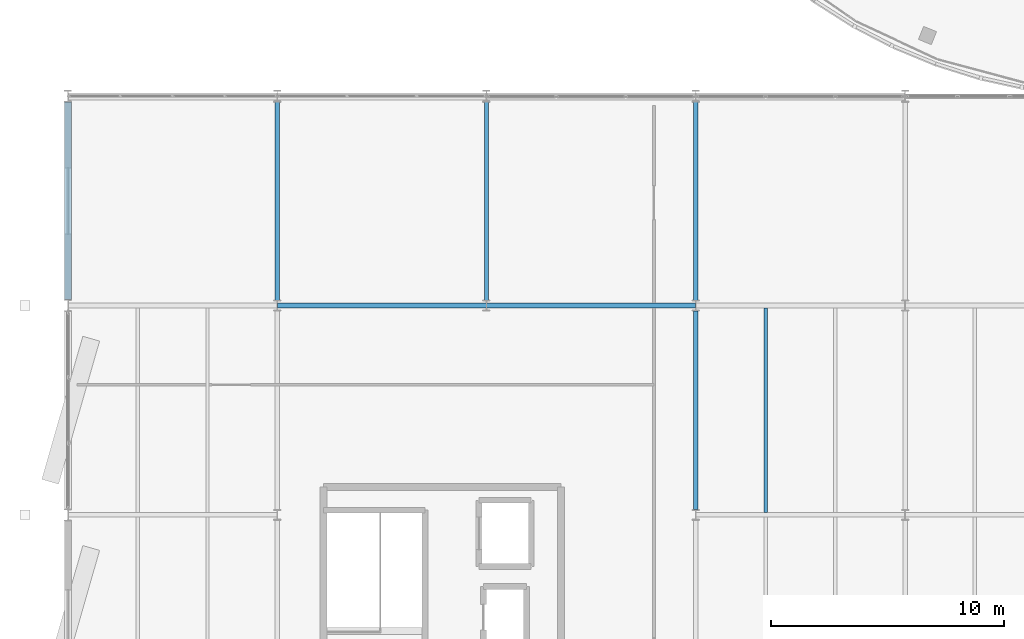
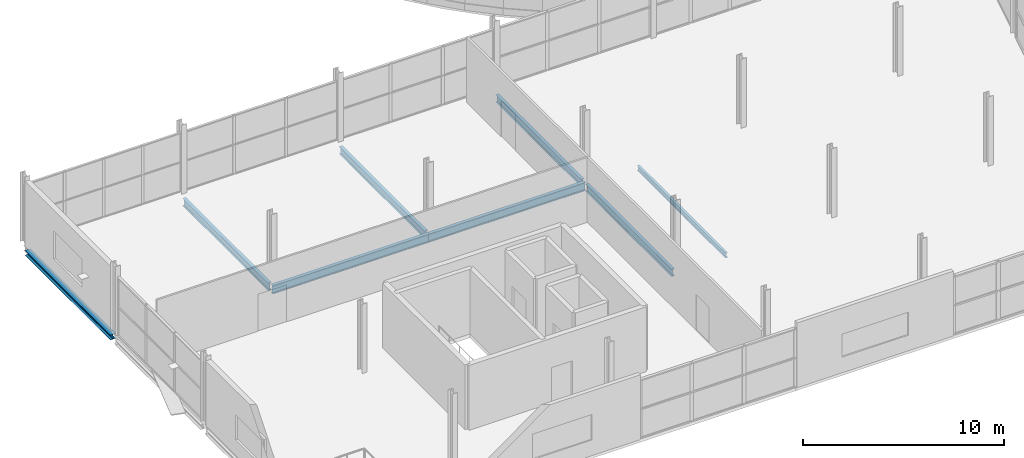
# One storey, part 64 of 132: 8 beams.
"""IFC4 building model written with IfcOpenShell, lengths in metres."""

import ifcopenshell
import ifcopenshell.guid

model = None  # the IFC model being written
_history = None  # IfcOwnerHistory: only IFC2X3 demands one
_inside = {}  # id of a spatial element -> (the spatial element, [elements in it])
_under = {}  # id of a project, library or spatial element -> (it, [spatial elements below it])
_declared = {}  # id of a project -> (the project, [libraries it declares])
_typed = {}  # id of a type object -> (the type object, [elements of that type])
_made_of = {}  # id of a material, layer set ... -> (it, [elements and type objects made of it])


def new_model(schema):
    """Start an empty IFC model of exactly this schema.

    Asked for "IFC4X3", IfcOpenShell would pick the latest addendum, in which some entities
    have other attributes; the version numbers below select the first issue.
    IFC2X3 requires an IfcOwnerHistory on every rooted entity: one is made here for all.
    """
    global model, _history
    if schema == "IFC4X3":
        model = ifcopenshell.file(schema_version=(4, 3, 0, 0))
    else:
        model = ifcopenshell.file(schema=schema)
    _inside.clear()
    _under.clear()
    _declared.clear()
    _typed.clear()
    _made_of.clear()
    _history = None
    if model.schema == "IFC2X3":
        org = make("IfcOrganization", Name="unknown")
        user = make(
            "IfcPersonAndOrganization",
            ThePerson=make("IfcPerson", FamilyName="unknown"),
            TheOrganization=org,
        )
        app = make(
            "IfcApplication",
            ApplicationDeveloper=org,
            Version="unknown",
            ApplicationFullName="unknown",
            ApplicationIdentifier="unknown",
        )
        _history = make(
            "IfcOwnerHistory",
            OwningUser=user,
            OwningApplication=app,
            ChangeAction="ADDED",
            CreationDate=0,
        )
    return model


def make(cls, **values):
    """One entity of the class cls with the attributes given. An attribute that is None is left unset."""
    return model.create_entity(
        cls, **{name: value for name, value in values.items() if value is not None}
    )


def rooted(cls, **values):
    """An entity with a GlobalId (a new one), such as an element, a storey or a relation."""
    return make(cls, GlobalId=ifcopenshell.guid.new(), OwnerHistory=_history, **values)


def si_unit(unit_type, name, prefix=None):
    """IfcSIUnit, for example si_unit("LENGTHUNIT", "METRE", prefix="MILLI")."""
    return make("IfcSIUnit", UnitType=unit_type, Prefix=prefix, Name=name)


def assignment(units):
    """IfcUnitAssignment: the units of a project."""
    return None if units is None else make("IfcUnitAssignment", Units=units)


def point(xyz):
    """IfcCartesianPoint."""
    return None if xyz is None else make("IfcCartesianPoint", Coordinates=xyz)


def direction(xyz):
    """IfcDirection."""
    return None if xyz is None else make("IfcDirection", DirectionRatios=xyz)


def frame(location, z_axis=None, x_axis=None):
    """IfcAxis2Placement3D, a coordinate frame: its origin and axes. An axis left out is left unset."""
    return make(
        "IfcAxis2Placement3D",
        Location=point(location),
        Axis=direction(z_axis),
        RefDirection=direction(x_axis),
    )


def frame_2d(location, x_axis=None):
    """IfcAxis2Placement2D, a coordinate frame in the plane: its origin and x axis."""
    return make(
        "IfcAxis2Placement2D", Location=point(location), RefDirection=direction(x_axis)
    )


def origin():
    """The frame at (0, 0, 0) with its axes left unset."""
    return frame((0.0, 0.0, 0.0))


def origin_2d():
    """The frame at (0, 0) in the plane with its x axis left unset."""
    return frame_2d((0.0, 0.0))


def place(relative_to, where):
    """IfcLocalPlacement: puts the frame where relative to a parent placement (None: the world)."""
    return make(
        "IfcLocalPlacement", PlacementRelTo=relative_to, RelativePlacement=where
    )


def context(
    kind, dimensions, precision=None, world=None, true_north=None, identifier=None
):
    """IfcGeometricRepresentationContext, for example the 3D "Model" context."""
    return make(
        "IfcGeometricRepresentationContext",
        ContextIdentifier=identifier,
        ContextType=kind,
        CoordinateSpaceDimension=dimensions,
        Precision=precision,
        WorldCoordinateSystem=world,
        TrueNorth=true_north,
    )


def subcontext(parent, identifier, kind, view, scale=None):
    """IfcGeometricRepresentationSubContext, for example "Body" below "Model"."""
    return make(
        "IfcGeometricRepresentationSubContext",
        ContextIdentifier=identifier,
        ContextType=kind,
        ParentContext=parent,
        TargetScale=scale,
        TargetView=view,
    )


def project(units=None, contexts=None):
    """IfcProject with its units and contexts."""
    return rooted(
        "IfcProject",
        Name="project",
        RepresentationContexts=contexts,
        UnitsInContext=assignment(units),
    )


def spatial(cls, under=None, at=None, **own):
    """A site, building, storey or space (cls), placed at a placement, below another one or the project."""
    s = rooted(cls, ObjectPlacement=at, **own)
    if under is not None:
        _under.setdefault(under.id(), (under, []))[1].append(s)
    return s


def profile(cls, at=None, kind="AREA", **sizes):
    """A parametric profile (cls). Its sizes go by their IFC names, for example OverallWidth=200.0."""
    return make(cls, ProfileType=kind, Position=at, **sizes)


def i_section(**sizes):
    """IfcIShapeProfileDef."""
    return profile("IfcIShapeProfileDef", **sizes)


def extrude(swept, where, along, depth):
    """IfcExtrudedAreaSolid: the profile swept, set in the frame where, extruded along a direction by depth."""
    return make(
        "IfcExtrudedAreaSolid",
        SweptArea=swept,
        Position=where,
        ExtrudedDirection=direction(along),
        Depth=depth,
    )


def shape(context_of_items, identifier, shape_type, items):
    """IfcShapeRepresentation: the items that make up one representation, for example the "Body"."""
    return make(
        "IfcShapeRepresentation",
        ContextOfItems=context_of_items,
        RepresentationIdentifier=identifier,
        RepresentationType=shape_type,
        Items=items,
    )


def material(Name=None, Category=None):
    """IfcMaterial."""
    return make("IfcMaterial", Name=Name, Category=Category)


def material_profile(
    of_material, cross_section, Name=None, Category=None, Priority=None
):
    """IfcMaterialProfile: a cross section and its material."""
    return make(
        "IfcMaterialProfile",
        Name=Name,
        Material=of_material,
        Profile=cross_section,
        Priority=Priority,
        Category=Category,
    )


def profile_set(profiles, Name=None, composite=None):
    """IfcMaterialProfileSet."""
    return make(
        "IfcMaterialProfileSet",
        Name=Name,
        MaterialProfiles=profiles,
        CompositeProfile=composite,
    )


def made_of(thing, what):
    """Note that an element or type object is made of a material, layer set ...; save() writes the relation."""
    if what is not None:
        _made_of.setdefault(what.id(), (what, []))[1].append(thing)
    return thing


def type_object(cls, material=None, **own):
    """A type object (cls), such as IfcWallType, which elements share."""
    return made_of(rooted(cls, **own), material)


def element(
    cls,
    number,
    at=None,
    inside=None,
    cuts=None,
    type_object=None,
    material=None,
    context=None,
    identifier="Body",
    shape_type=None,
    held_by="IfcProductDefinitionShape",
    body=None,
    shapes=None,
    **own,
):
    """One element of the class cls, such as IfcWall. Its Tag is "e" and its number.

    at: its placement. inside: the storey or other place that contains it. cuts: it is an
    opening in that element (IfcRelVoidsElement). A single representation is given by context,
    identifier, shape_type and body (its items); several are given by shapes. held_by: the class
    of the entity that holds the representations. save() writes the other relations.
    """
    e = rooted(cls, Tag="e%d" % number, ObjectPlacement=at, **own)
    if body is not None:
        shapes = [shape(context, identifier, shape_type, body)]
    if shapes is not None:
        e.Representation = make(held_by, Representations=shapes)
    if inside is not None:
        _inside.setdefault(inside.id(), (inside, []))[1].append(e)
    if cuts is not None:
        rooted(
            "IfcRelVoidsElement", RelatingBuildingElement=cuts, RelatedOpeningElement=e
        )
    if type_object is not None:
        _typed.setdefault(type_object.id(), (type_object, []))[1].append(e)
    return made_of(e, material)


def aggregate(whole, parts):
    """IfcRelAggregates: a whole, such as a stair, and the parts it consists of."""
    return rooted("IfcRelAggregates", RelatingObject=whole, RelatedObjects=parts)


def save(model, path):
    """Write the relations noted so far, then the file.

    IfcRelAggregates (storeys below a building ...), IfcRelContainedInSpatialStructure (elements
    in a storey), IfcRelDefinesByType, IfcRelAssociatesMaterial and IfcRelDeclares: one each for
    every whole, place, type object, material and project.
    """
    for whole, parts in _under.values():
        aggregate(whole, parts)
    for where, things in _inside.values():
        rooted(
            "IfcRelContainedInSpatialStructure",
            RelatedElements=things,
            RelatingStructure=where,
        )
    for kind, things in _typed.values():
        rooted("IfcRelDefinesByType", RelatedObjects=things, RelatingType=kind)
    for what, things in _made_of.values():
        rooted("IfcRelAssociatesMaterial", RelatedObjects=things, RelatingMaterial=what)
    for by, libraries in _declared.values():
        rooted("IfcRelDeclares", RelatingContext=by, RelatedDefinitions=libraries)
    model.write(path)


model = new_model("IFC4")

# Units and contexts
model_context = context("Model", 3, precision=1e-05, world=origin(), true_north=direction((0.0, 1.0)))
body_context = subcontext(model_context, "Body", "Model", "MODEL_VIEW")
ifc_project = project(units=[si_unit("LENGTHUNIT", "METRE"), si_unit("AREAUNIT", "SQUARE_METRE"), si_unit("VOLUMEUNIT", "CUBIC_METRE"), si_unit("PLANEANGLEUNIT", "RADIAN"), si_unit("MASSUNIT", "GRAM", prefix="KILO")], contexts=[model_context])

# Site, building, storey
site_placement = place(None, origin())
site = spatial("IfcSite", under=ifc_project, at=site_placement, CompositionType="ELEMENT")
building_placement = place(site_placement, origin())
building = spatial("IfcBuilding", under=site, at=building_placement, Name="Deido Ridge Mobility Hub", CompositionType="ELEMENT")
storey_placement = place(building_placement, frame((0.0, 0.0, 8.39990234375)))
storey = spatial("IfcBuildingStorey", under=building, at=storey_placement, Name="L02", CompositionType="ELEMENT", Elevation=8.39990234375)

# Beams
ifc_material = material(Name="Steel S355J2 EN 10025-2", Category="steel")
ifc_material_profile_1 = material_profile(ifc_material, i_section(OverallWidth=0.18994140625, OverallDepth=0.449951171875, WebThickness=0.009521484375, FlangeThickness=0.0146484375, FilletRadius=0.02099609375, at=origin_2d()), Name="IPE 450")
ifc_profile_set_1 = profile_set([ifc_material_profile_1], Name="Steel S355J2 EN 10025-2")
beam_type_1 = type_object("IfcBeamType", Name="BM-IPE450", PredefinedType="BEAM", material=ifc_profile_set_1)
for number, where, z_axis, x_axis, name in (
    (1, (9.0, 72.22509765625, -0.47998046875), (0.0, 1.0, 0.0), (-1.0, 0.0, 0.0), "Floor beam B4"),
    (2, (18.0, 72.22509765625, -0.47998046875), (0.0, 1.0, 0.0), (-1.0, 0.0, 0.0), "Floor beam B4"),
):
    element("IfcBeam", number, at=place(storey_placement, frame(where, z_axis=z_axis, x_axis=x_axis)), inside=storey, type_object=beam_type_1, Name=name, PredefinedType="BEAM", context=body_context, shape_type="SweptSolid", body=[
        extrude(i_section(OverallWidth=0.18994140625, OverallDepth=0.449951171875, WebThickness=0.009521484375, FlangeThickness=0.0146484375, FilletRadius=0.02099609375, at=origin_2d()), origin(), (0.0, 0.0, 1.0), 8.52490234375),
    ])
beam_1_placement = place(storey_placement, frame((27.0, 63.22509765625, -0.47998046875), z_axis=(0.0, 1.0, 0.0), x_axis=(-1.0, 0.0, 0.0)))
element("IfcBeam", 3, at=beam_1_placement, inside=storey, type_object=beam_type_1, Name="Floor beam B4", PredefinedType="BEAM", context=body_context, shape_type="SweptSolid", body=[
    extrude(i_section(OverallWidth=0.18994140625, OverallDepth=0.449951171875, WebThickness=0.009521484375, FlangeThickness=0.0146484375, FilletRadius=0.02099609375, at=origin_2d()), origin(), (0.0, 0.0, 1.0), 8.5498046875),
])
beam_2_placement = place(storey_placement, frame((27.0, 72.22509765625, -0.47998046875), z_axis=(0.0, 1.0, 0.0), x_axis=(-1.0, 0.0, 0.0)))
element("IfcBeam", 4, at=beam_2_placement, inside=storey, type_object=beam_type_1, Name="Floor beam B4", PredefinedType="BEAM", context=body_context, shape_type="SweptSolid", body=[
    extrude(i_section(OverallWidth=0.18994140625, OverallDepth=0.449951171875, WebThickness=0.009521484375, FlangeThickness=0.0146484375, FilletRadius=0.02099609375, at=origin_2d()), origin(), (0.0, 0.0, 1.0), 8.52490234375),
])
ifc_material_profile_2 = material_profile(ifc_material, i_section(OverallWidth=0.199951171875, OverallDepth=0.5, WebThickness=0.01025390625, FlangeThickness=0.01611328125, FilletRadius=0.02099609375, at=origin_2d()), Name="IPE 500")
ifc_profile_set_2 = profile_set([ifc_material_profile_2], Name="Steel S355J2 EN 10025-2")
beam_type_2 = type_object("IfcBeamType", Name="BM-IPE500", PredefinedType="BEAM", material=ifc_profile_set_2)
for number, where, z_axis, x_axis, name in (
    (5, (9.007080078125, 72.0, -0.5048828125), (1.0, 0.0, 0.0), (0.0, 1.0, 0.0), "Floor beam B3"),
    (6, (18.007080078125, 72.0, -0.5048828125), (1.0, 0.0, 0.0), (0.0, 1.0, 0.0), "Floor beam B3"),
):
    element("IfcBeam", number, at=place(storey_placement, frame(where, z_axis=z_axis, x_axis=x_axis)), inside=storey, type_object=beam_type_2, Name=name, PredefinedType="BEAM", context=body_context, shape_type="SweptSolid", body=[
        extrude(i_section(OverallWidth=0.199951171875, OverallDepth=0.5, WebThickness=0.01025390625, FlangeThickness=0.01611328125, FilletRadius=0.02099609375, at=origin_2d()), origin(), (0.0, 0.0, 1.0), 8.98583984375),
    ])
ifc_material_profile_3 = material_profile(ifc_material, i_section(OverallWidth=0.14990234375, OverallDepth=0.300048828125, WebThickness=0.007080078125, FlangeThickness=0.0107421875, FilletRadius=0.014892578125, at=origin_2d()), Name="IPE 300")
ifc_profile_set_3 = profile_set([ifc_material_profile_3], Name="Steel S355J2 EN 10025-2")
beam_type_3 = type_object("IfcBeamType", Name="JST-IPE300", PredefinedType="JOIST", material=ifc_profile_set_3)
beam_3_placement = place(storey_placement, frame((30.0, 63.10009765625, -0.40478515625), z_axis=(0.0, 1.0, 0.0), x_axis=(-1.0, 0.0, 0.0)))
element("IfcBeam", 7, at=beam_3_placement, inside=storey, type_object=beam_type_3, Name="Composite joist J3", PredefinedType="JOIST", context=body_context, shape_type="SweptSolid", body=[
    extrude(i_section(OverallWidth=0.14990234375, OverallDepth=0.300048828125, WebThickness=0.007080078125, FlangeThickness=0.0107421875, FilletRadius=0.014892578125, at=origin_2d()), origin(), (0.0, 0.0, 1.0), 8.7998046875),
])
ifc_material_profile_4 = material_profile(ifc_material, i_section(OverallWidth=0.300048828125, OverallDepth=0.300048828125, WebThickness=0.010986328125, FlangeThickness=0.01904296875, FilletRadius=0.027099609375, at=origin_2d()), Name="HEB 300")
ifc_profile_set_4 = profile_set([ifc_material_profile_4], Name="Steel S355J2 EN 10025-2")
beam_type_4 = type_object("IfcBeamType", Name="SPD-HEB300", PredefinedType="SPANDREL", material=ifc_profile_set_4)
beam_4_placement = place(storey_placement, frame((0.0, 72.25, -0.40478515625), z_axis=(0.0, 1.0, 0.0), x_axis=(-1.0, 0.0, 0.0)))
element("IfcBeam", 8, at=beam_4_placement, inside=storey, type_object=beam_type_4, Name="Floor beam SP1", PredefinedType="SPANDREL", context=body_context, shape_type="SweptSolid", body=[
    extrude(i_section(OverallWidth=0.300048828125, OverallDepth=0.300048828125, WebThickness=0.010986328125, FlangeThickness=0.01904296875, FilletRadius=0.027099609375, at=origin_2d()), origin(), (0.0, 0.0, 1.0), 8.5),
])

save(model, "model.ifc")
